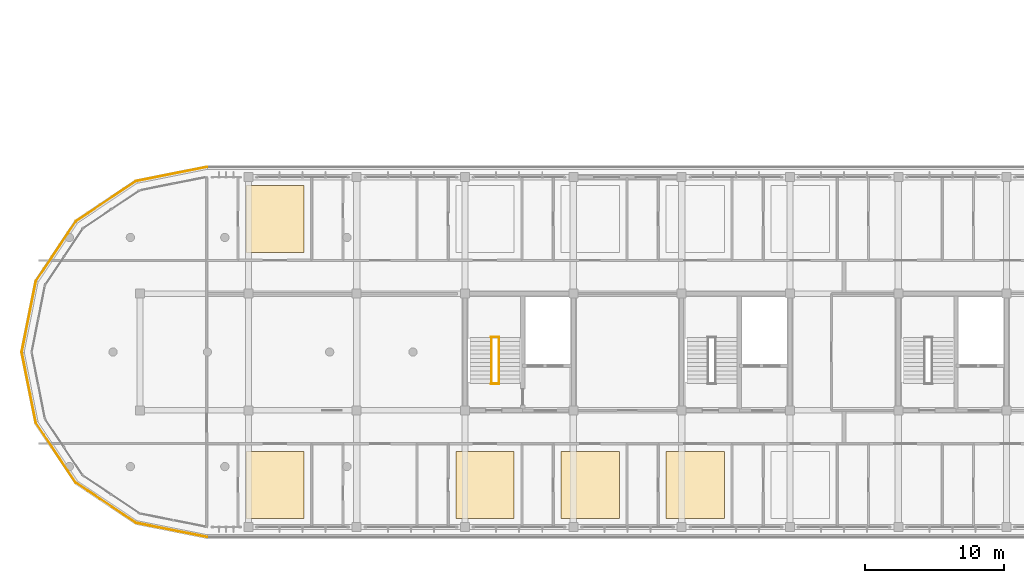
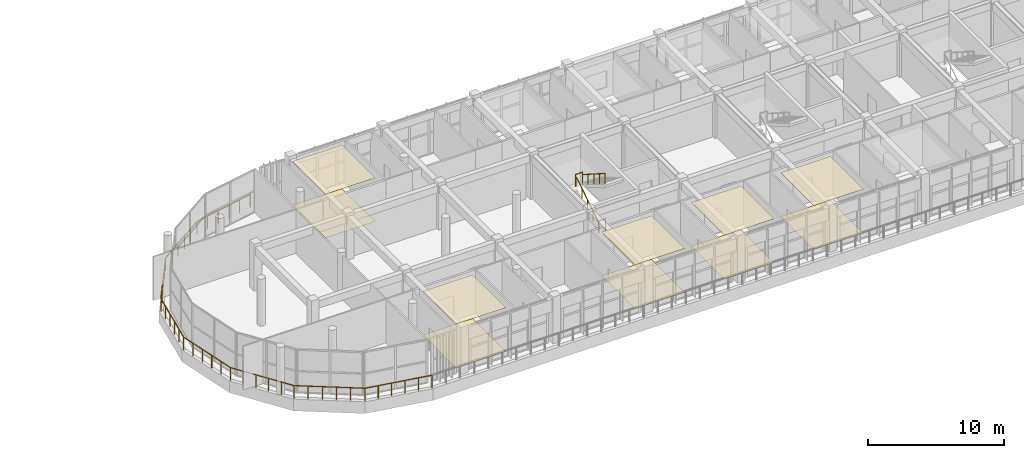
# One storey, part 57 of 63: 12 railings, 10 coverings.
"""IFC4 building model written with IfcOpenShell, lengths in metres."""

from ifc_helpers import new_model, si_unit, direction, frame, origin, origin_2d, place, context, subcontext, project, spatial, polyline, hollow_rectangle, circle, hollow_circle, outline, extrude, material, layer, layer_set, material_profile, profile_set, type_object, element, save


model = new_model("IFC4")

# Units and contexts
model_context = context("Model", 3, precision=1e-05, world=origin(), true_north=direction((0.0, 1.0)))
body_context = subcontext(model_context, "Body", "Model", "MODEL_VIEW")
ifc_project = project(units=[si_unit("LENGTHUNIT", "METRE"), si_unit("AREAUNIT", "SQUARE_METRE"), si_unit("VOLUMEUNIT", "CUBIC_METRE"), si_unit("PLANEANGLEUNIT", "RADIAN"), si_unit("MASSUNIT", "GRAM", prefix="KILO")], contexts=[model_context])

# Site, building, storey
site_placement = place(None, origin())
site = spatial("IfcSite", under=ifc_project, at=site_placement, CompositionType="ELEMENT")
building_placement = place(site_placement, origin())
building = spatial("IfcBuilding", under=site, at=building_placement, Name="Zizhar Promenade General Hospital", CompositionType="ELEMENT")
storey_placement = place(building_placement, frame((0.0, 0.0, 18.0)))
storey = spatial("IfcBuildingStorey", under=building, at=storey_placement, Name="L04", CompositionType="ELEMENT", Elevation=18.0)

# Coverings
ifc_material_1 = material(Name="Hygienic acoustic mineral ceiling tile")
ifc_layer_1 = layer(ifc_material_1, 0.02001953125)
ifc_layer_set_1 = layer_set([ifc_layer_1], Name="Hygienic acoustic mineral ceiling tile")
covering_type_1 = type_object("IfcCoveringType", Name="COV-CLG-ACOUST-20", PredefinedType="CEILING", material=ifc_layer_set_1)
covering_1_placement = place(storey_placement, frame((0.0, 0.0, 3.89990234375)))
element("IfcCovering", 1, at=covering_1_placement, inside=storey, type_object=covering_type_1, Name="Acute Medical Inpatient Ward L04-S04 Hygienic Ceiling", PredefinedType="CEILING", context=body_context, shape_type="SweptSolid", body=[
    extrude(outline(polyline([(53.7099609375, 0.594970703125), (57.906982421875, 0.594970703125), (57.906982421875, 5.449951171875), (53.7099609375, 5.449951171875), (53.7099609375, 0.594970703125)])), origin(), (0.0, 0.0, 1.0), 0.02001953125),
])
ifc_material_2 = material(Name="Acoustic cleanroom metal ceiling panel")
ifc_layer_2 = layer(ifc_material_2, 0.02490234375)
ifc_layer_set_2 = layer_set([ifc_layer_2], Name="Acoustic cleanroom metal ceiling panel")
covering_type_2 = type_object("IfcCoveringType", Name="COV-CLG-CLEAN-25", PredefinedType="CEILING", material=ifc_layer_set_2)
covering_2_placement = place(storey_placement, frame((0.0, 0.0, 3.89501953125)))
element("IfcCovering", 2, at=covering_2_placement, inside=storey, type_object=covering_type_2, Name="Intensive Care Step-Down L04-S01 Hygienic Ceiling", PredefinedType="CEILING", context=body_context, shape_type="SweptSolid", body=[
    extrude(outline(polyline([(31.010009765625, 0.594970703125), (35.20703125, 0.594970703125), (35.20703125, 5.449951171875), (31.010009765625, 5.449951171875), (31.010009765625, 0.594970703125)])), origin(), (0.0, 0.0, 1.0), 0.02490234375),
])
covering_3_placement = place(storey_placement, frame((0.0, 0.0, 3.89501953125)))
element("IfcCovering", 3, at=covering_3_placement, inside=storey, type_object=covering_type_2, Name="Intensive Care Step-Down L04-N01 Hygienic Ceiling", PredefinedType="CEILING", context=body_context, shape_type="SweptSolid", body=[
    extrude(outline(polyline([(31.010009765625, 19.75), (35.20703125, 19.75), (35.20703125, 24.60498046875), (31.010009765625, 24.60498046875), (31.010009765625, 19.75)])), origin(), (0.0, 0.0, 1.0), 0.02490234375),
])
covering_4_placement = place(storey_placement, frame((0.0, 0.0, 3.89501953125)))
element("IfcCovering", 4, at=covering_4_placement, inside=storey, type_object=covering_type_2, Name="Intensive Care Step-Down L04-S03 Hygienic Ceiling", PredefinedType="CEILING", context=body_context, shape_type="SweptSolid", body=[
    extrude(outline(polyline([(46.14306640625, 0.594970703125), (50.340087890625, 0.594970703125), (50.340087890625, 5.449951171875), (46.14306640625, 5.449951171875), (46.14306640625, 0.594970703125)])), origin(), (0.0, 0.0, 1.0), 0.02490234375),
])
covering_5_placement = place(storey_placement, frame((0.0, 0.0, 3.89501953125)))
element("IfcCovering", 5, at=covering_5_placement, inside=storey, type_object=covering_type_2, Name="Intensive Care Step-Down L04-S05 Hygienic Ceiling", PredefinedType="CEILING", context=body_context, shape_type="SweptSolid", body=[
    extrude(outline(polyline([(61.277099609375, 0.594970703125), (65.472900390625, 0.594970703125), (65.472900390625, 5.449951171875), (61.277099609375, 5.449951171875), (61.277099609375, 0.594970703125)])), origin(), (0.0, 0.0, 1.0), 0.02490234375),
])
ifc_material_3 = material(Name="Seamless antimicrobial vinyl flooring")
ifc_layer_3 = layer(ifc_material_3, 0.008056640625)
ifc_layer_set_3 = layer_set([ifc_layer_3], Name="Seamless antimicrobial vinyl flooring")
covering_type_3 = type_object("IfcCoveringType", Name="COV-FLR-VINYL-08", PredefinedType="FLOORING", material=ifc_layer_set_3)
covering_6_placement = place(storey_placement, origin())
element("IfcCovering", 6, at=covering_6_placement, inside=storey, type_object=covering_type_3, Name="Intensive Care Step-Down L04-S01 Clinical Flooring", PredefinedType="FLOORING", context=body_context, shape_type="SweptSolid", body=[
    extrude(outline(polyline([(31.010009765625, 0.594970703125), (35.20703125, 0.594970703125), (35.20703125, 5.449951171875), (31.010009765625, 5.449951171875), (31.010009765625, 0.594970703125)])), origin(), (0.0, 0.0, 1.0), 0.008056640625),
])
covering_7_placement = place(storey_placement, origin())
element("IfcCovering", 7, at=covering_7_placement, inside=storey, type_object=covering_type_3, Name="Intensive Care Step-Down L04-N01 Clinical Flooring", PredefinedType="FLOORING", context=body_context, shape_type="SweptSolid", body=[
    extrude(outline(polyline([(31.010009765625, 19.75), (35.20703125, 19.75), (35.20703125, 24.60498046875), (31.010009765625, 24.60498046875), (31.010009765625, 19.75)])), origin(), (0.0, 0.0, 1.0), 0.008056640625),
])
covering_8_placement = place(storey_placement, origin())
element("IfcCovering", 8, at=covering_8_placement, inside=storey, type_object=covering_type_3, Name="Intensive Care Step-Down L04-S03 Clinical Flooring", PredefinedType="FLOORING", context=body_context, shape_type="SweptSolid", body=[
    extrude(outline(polyline([(46.14306640625, 0.594970703125), (50.340087890625, 0.594970703125), (50.340087890625, 5.449951171875), (46.14306640625, 5.449951171875), (46.14306640625, 0.594970703125)])), origin(), (0.0, 0.0, 1.0), 0.008056640625),
])
covering_9_placement = place(storey_placement, origin())
element("IfcCovering", 9, at=covering_9_placement, inside=storey, type_object=covering_type_3, Name="Acute Medical Inpatient Ward L04-S04 Clinical Flooring", PredefinedType="FLOORING", context=body_context, shape_type="SweptSolid", body=[
    extrude(outline(polyline([(53.7099609375, 0.594970703125), (57.906982421875, 0.594970703125), (57.906982421875, 5.449951171875), (53.7099609375, 5.449951171875), (53.7099609375, 0.594970703125)])), origin(), (0.0, 0.0, 1.0), 0.008056640625),
])
covering_10_placement = place(storey_placement, origin())
element("IfcCovering", 10, at=covering_10_placement, inside=storey, type_object=covering_type_3, Name="Intensive Care Step-Down L04-S05 Clinical Flooring", PredefinedType="FLOORING", context=body_context, shape_type="SweptSolid", body=[
    extrude(outline(polyline([(61.277099609375, 0.594970703125), (65.472900390625, 0.594970703125), (65.472900390625, 5.449951171875), (61.277099609375, 5.449951171875), (61.277099609375, 0.594970703125)])), origin(), (0.0, 0.0, 1.0), 0.008056640625),
])

# Railings
ifc_material_4 = material(Name="Steel S355", Category="steel")
ifc_material_profile_1 = material_profile(ifc_material_4, hollow_rectangle(XDim=0.06005859375, YDim=0.1201171875, WallThickness=0.00390625, at=origin_2d()))
ifc_profile_set_1 = profile_set([ifc_material_profile_1], Name="Steel S355")
railing_type_1 = type_object("IfcRailingType", Name="RL-GUARD-EXT-1150", PredefinedType="GUARDRAIL", material=ifc_profile_set_1)
railing_1_placement = place(storey_placement, frame((28.199951171875, 25.919921875, 0.0)))
element("IfcRailing", 11, at=railing_1_placement, inside=storey, type_object=railing_type_1, Name="Perimeter Safety Guardrail L04-10", PredefinedType="GUARDRAIL", context=body_context, shape_type="SweptSolid", body=[
    extrude(circle(Radius=0.02392578125, at=origin_2d()), frame((0.0, 0.0, 1.1259765625), z_axis=(-0.980784313268, -0.195095184069, 0.0), x_axis=(0.195095184069, -0.980784313268, 0.0)), (0.0, 0.0, 1.0), 5.197021484375),
    extrude(circle(Radius=0.02099609375, at=origin_2d()), origin(), (0.0, 0.0, 1.0), 1.101806640625),
    extrude(circle(Radius=0.02099609375, at=origin_2d()), frame((-1.01953125, -0.202880859375, 0.0)), (0.0, 0.0, 1.0), 1.101806640625),
    extrude(circle(Radius=0.02099609375, at=origin_2d()), frame((-2.038818359375, -0.405517578125, 0.0)), (0.0, 0.0, 1.0), 1.101806640625),
    extrude(circle(Radius=0.02099609375, at=origin_2d()), frame((-3.058349609375, -0.6083984375, 0.0)), (0.0, 0.0, 1.0), 1.101806640625),
    extrude(circle(Radius=0.02099609375, at=origin_2d()), frame((-4.07763671875, -0.81103515625, 0.0)), (0.0, 0.0, 1.0), 1.101806640625),
    extrude(circle(Radius=0.02099609375, at=origin_2d()), frame((-5.09716796875, -1.013916015625, 0.0)), (0.0, 0.0, 1.0), 1.101806640625),
])
railing_2_placement = place(storey_placement, frame((23.102783203125, 24.906005859375, 0.0)))
element("IfcRailing", 12, at=railing_2_placement, inside=storey, type_object=railing_type_1, Name="Perimeter Safety Guardrail L04-11", PredefinedType="GUARDRAIL", context=body_context, shape_type="SweptSolid", body=[
    extrude(circle(Radius=0.02392578125, at=origin_2d()), frame((0.0, 0.0, 1.1259765625), z_axis=(-0.831500642835, -0.555523789739, 0.0), x_axis=(0.555523789739, -0.831500642835, 0.0)), (0.0, 0.0, 1.0), 5.197265625),
    extrude(circle(Radius=0.02099609375, at=origin_2d()), origin(), (0.0, 0.0, 1.0), 1.101806640625),
    extrude(circle(Radius=0.02099609375, at=origin_2d()), frame((-0.8642578125, -0.577392578125, 0.0)), (0.0, 0.0, 1.0), 1.101806640625),
    extrude(circle(Radius=0.02099609375, at=origin_2d()), frame((-1.728515625, -1.15478515625, 0.0)), (0.0, 0.0, 1.0), 1.101806640625),
    extrude(circle(Radius=0.02099609375, at=origin_2d()), frame((-2.593017578125, -1.732421875, 0.0)), (0.0, 0.0, 1.0), 1.101806640625),
    extrude(circle(Radius=0.02099609375, at=origin_2d()), frame((-3.457275390625, -2.309814453125, 0.0)), (0.0, 0.0, 1.0), 1.101806640625),
    extrude(circle(Radius=0.02099609375, at=origin_2d()), frame((-4.321533203125, -2.88720703125, 0.0)), (0.0, 0.0, 1.0), 1.101806640625),
])
railing_3_placement = place(storey_placement, frame((18.78125, 22.018798828125, 0.0)))
element("IfcRailing", 13, at=railing_3_placement, inside=storey, type_object=railing_type_1, Name="Perimeter Safety Guardrail L04-12", PredefinedType="GUARDRAIL", context=body_context, shape_type="SweptSolid", body=[
    extrude(circle(Radius=0.02392578125, at=origin_2d()), frame((0.0, 0.0, 1.1259765625), z_axis=(-0.555556266519, -0.83147894425, 0.0), x_axis=(0.83147894425, -0.555556266519, 0.0)), (0.0, 0.0, 1.0), 5.197509765625),
    extrude(circle(Radius=0.02099609375, at=origin_2d()), origin(), (0.0, 0.0, 1.0), 1.101806640625),
    extrude(circle(Radius=0.02099609375, at=origin_2d()), frame((-0.577392578125, -0.8642578125, 0.0)), (0.0, 0.0, 1.0), 1.101806640625),
    extrude(circle(Radius=0.02099609375, at=origin_2d()), frame((-1.155029296875, -1.728515625, 0.0)), (0.0, 0.0, 1.0), 1.101806640625),
    extrude(circle(Radius=0.02099609375, at=origin_2d()), frame((-1.732421875, -2.593017578125, 0.0)), (0.0, 0.0, 1.0), 1.101806640625),
    extrude(circle(Radius=0.02099609375, at=origin_2d()), frame((-2.31005859375, -3.457275390625, 0.0)), (0.0, 0.0, 1.0), 1.101806640625),
    extrude(circle(Radius=0.02099609375, at=origin_2d()), frame((-2.887451171875, -4.321533203125, 0.0)), (0.0, 0.0, 1.0), 1.101806640625),
])
railing_4_placement = place(storey_placement, frame((15.893798828125, 17.697265625, 0.0)))
element("IfcRailing", 14, at=railing_4_placement, inside=storey, type_object=railing_type_1, Name="Perimeter Safety Guardrail L04-13", PredefinedType="GUARDRAIL", context=body_context, shape_type="SweptSolid", body=[
    extrude(circle(Radius=0.02392578125, at=origin_2d()), frame((0.0, 0.0, 1.1259765625), z_axis=(-0.195095184069, -0.980784313268, 0.0), x_axis=(0.980784313268, -0.195095184069, 0.0)), (0.0, 0.0, 1.0), 5.197021484375),
    extrude(circle(Radius=0.02099609375, at=origin_2d()), origin(), (0.0, 0.0, 1.0), 1.101806640625),
    extrude(circle(Radius=0.02099609375, at=origin_2d()), frame((-0.202880859375, -1.01953125, 0.0)), (0.0, 0.0, 1.0), 1.101806640625),
    extrude(circle(Radius=0.02099609375, at=origin_2d()), frame((-0.405517578125, -2.038818359375, 0.0)), (0.0, 0.0, 1.0), 1.101806640625),
    extrude(circle(Radius=0.02099609375, at=origin_2d()), frame((-0.6083984375, -3.058349609375, 0.0)), (0.0, 0.0, 1.0), 1.101806640625),
    extrude(circle(Radius=0.02099609375, at=origin_2d()), frame((-0.81103515625, -4.07763671875, 0.0)), (0.0, 0.0, 1.0), 1.101806640625),
    extrude(circle(Radius=0.02099609375, at=origin_2d()), frame((-1.013916015625, -5.09716796875, 0.0)), (0.0, 0.0, 1.0), 1.101806640625),
])
railing_5_placement = place(storey_placement, frame((14.8798828125, 12.60009765625, 0.0)))
element("IfcRailing", 15, at=railing_5_placement, inside=storey, type_object=railing_type_1, Name="Perimeter Safety Guardrail L04-14", PredefinedType="GUARDRAIL", context=body_context, shape_type="SweptSolid", body=[
    extrude(circle(Radius=0.02392578125, at=origin_2d()), frame((0.0, 0.0, 1.1259765625), z_axis=(0.195086195614, -0.980786101187, 0.0), x_axis=(0.980786101187, 0.195086195614, 0.0)), (0.0, 0.0, 1.0), 5.197265625),
    extrude(circle(Radius=0.02099609375, at=origin_2d()), origin(), (0.0, 0.0, 1.0), 1.101806640625),
    extrude(circle(Radius=0.02099609375, at=origin_2d()), frame((0.202880859375, -1.01953125, 0.0)), (0.0, 0.0, 1.0), 1.101806640625),
    extrude(circle(Radius=0.02099609375, at=origin_2d()), frame((0.405517578125, -2.0390625, 0.0)), (0.0, 0.0, 1.0), 1.101806640625),
    extrude(circle(Radius=0.02099609375, at=origin_2d()), frame((0.6083984375, -3.058349609375, 0.0)), (0.0, 0.0, 1.0), 1.101806640625),
    extrude(circle(Radius=0.02099609375, at=origin_2d()), frame((0.81103515625, -4.077880859375, 0.0)), (0.0, 0.0, 1.0), 1.101806640625),
    extrude(circle(Radius=0.02099609375, at=origin_2d()), frame((1.013916015625, -5.097412109375, 0.0)), (0.0, 0.0, 1.0), 1.101806640625),
])
railing_6_placement = place(storey_placement, frame((15.893798828125, 7.502685546875, 0.0)))
element("IfcRailing", 16, at=railing_6_placement, inside=storey, type_object=railing_type_1, Name="Perimeter Safety Guardrail L04-15", PredefinedType="GUARDRAIL", context=body_context, shape_type="SweptSolid", body=[
    extrude(circle(Radius=0.02392578125, at=origin_2d()), frame((0.0, 0.0, 1.1259765625), z_axis=(0.555577965829, -0.831464445352, 0.0), x_axis=(0.831464445352, 0.555577965829, 0.0)), (0.0, 0.0, 1.0), 5.197265625),
    extrude(circle(Radius=0.02099609375, at=origin_2d()), origin(), (0.0, 0.0, 1.0), 1.101806640625),
    extrude(circle(Radius=0.02099609375, at=origin_2d()), frame((0.577392578125, -0.8642578125, 0.0)), (0.0, 0.0, 1.0), 1.101806640625),
    extrude(circle(Radius=0.02099609375, at=origin_2d()), frame((1.155029296875, -1.728515625, 0.0)), (0.0, 0.0, 1.0), 1.101806640625),
    extrude(circle(Radius=0.02099609375, at=origin_2d()), frame((1.732421875, -2.5927734375, 0.0)), (0.0, 0.0, 1.0), 1.101806640625),
    extrude(circle(Radius=0.02099609375, at=origin_2d()), frame((2.31005859375, -3.45703125, 0.0)), (0.0, 0.0, 1.0), 1.101806640625),
    extrude(circle(Radius=0.02099609375, at=origin_2d()), frame((2.887451171875, -4.3212890625, 0.0)), (0.0, 0.0, 1.0), 1.101806640625),
])
railing_7_placement = place(storey_placement, frame((18.78125, 3.181396484375, 0.0)))
element("IfcRailing", 17, at=railing_7_placement, inside=storey, type_object=railing_type_1, Name="Perimeter Safety Guardrail L04-16", PredefinedType="GUARDRAIL", context=body_context, shape_type="SweptSolid", body=[
    extrude(circle(Radius=0.02392578125, at=origin_2d()), frame((0.0, 0.0, 1.1259765625), z_axis=(0.83147894425, -0.555556266519, 0.0), x_axis=(0.555556266519, 0.83147894425, 0.0)), (0.0, 0.0, 1.0), 5.197509765625),
    extrude(circle(Radius=0.02099609375, at=origin_2d()), origin(), (0.0, 0.0, 1.0), 1.101806640625),
    extrude(circle(Radius=0.02099609375, at=origin_2d()), frame((0.8642578125, -0.577392578125, 0.0)), (0.0, 0.0, 1.0), 1.101806640625),
    extrude(circle(Radius=0.02099609375, at=origin_2d()), frame((1.728515625, -1.155029296875, 0.0)), (0.0, 0.0, 1.0), 1.101806640625),
    extrude(circle(Radius=0.02099609375, at=origin_2d()), frame((2.593017578125, -1.732421875, 0.0)), (0.0, 0.0, 1.0), 1.101806640625),
    extrude(circle(Radius=0.02099609375, at=origin_2d()), frame((3.457275390625, -2.31005859375, 0.0)), (0.0, 0.0, 1.0), 1.101806640625),
    extrude(circle(Radius=0.02099609375, at=origin_2d()), frame((4.321533203125, -2.887451171875, 0.0)), (0.0, 0.0, 1.0), 1.101806640625),
])
railing_8_placement = place(storey_placement, frame((23.102783203125, 0.2939453125, 0.0)))
element("IfcRailing", 18, at=railing_8_placement, inside=storey, type_object=railing_type_1, Name="Perimeter Safety Guardrail L04-17", PredefinedType="GUARDRAIL", context=body_context, shape_type="SweptSolid", body=[
    extrude(circle(Radius=0.02392578125, at=origin_2d()), frame((0.0, 0.0, 1.1259765625), z_axis=(0.980784313268, -0.195095184069, 0.0), x_axis=(0.195095184069, 0.980784313268, 0.0)), (0.0, 0.0, 1.0), 5.197021484375),
    extrude(circle(Radius=0.02099609375, at=origin_2d()), origin(), (0.0, 0.0, 1.0), 1.101806640625),
    extrude(circle(Radius=0.02099609375, at=origin_2d()), frame((1.01953125, -0.202880859375, 0.0)), (0.0, 0.0, 1.0), 1.101806640625),
    extrude(circle(Radius=0.02099609375, at=origin_2d()), frame((2.038818359375, -0.405517578125, 0.0)), (0.0, 0.0, 1.0), 1.101806640625),
    extrude(circle(Radius=0.02099609375, at=origin_2d()), frame((3.058349609375, -0.6083984375, 0.0)), (0.0, 0.0, 1.0), 1.101806640625),
    extrude(circle(Radius=0.02099609375, at=origin_2d()), frame((4.07763671875, -0.81103515625, 0.0)), (0.0, 0.0, 1.0), 1.101806640625),
    extrude(circle(Radius=0.02099609375, at=origin_2d()), frame((5.09716796875, -1.013916015625, 0.0)), (0.0, 0.0, 1.0), 1.101806640625),
])
ifc_material_5 = material(Name="Anodised aluminium 6063-T6", Category="aluminium")
ifc_material_profile_2 = material_profile(ifc_material_5, hollow_circle(Radius=0.06982421875, WallThickness=0.00634765625, at=origin_2d()))
ifc_profile_set_2 = profile_set([ifc_material_profile_2], Name="Anodised aluminium 6063-T6")
railing_type_2 = type_object("IfcRailingType", Name="RL-HANDRAIL-920", PredefinedType="HANDRAIL", material=ifc_profile_set_2)
railing_9_placement = place(storey_placement, frame((48.699951171875, 10.35009765625, 0.0)))
element("IfcRailing", 19, at=railing_9_placement, inside=storey, type_object=railing_type_2, Name="Stair ST-02 Flight 1 Handrail (L04)", PredefinedType="HANDRAIL", context=body_context, shape_type="SweptSolid", body=[
    extrude(circle(Radius=0.02392578125, at=origin_2d()), frame((0.0, 0.0, 0.89599609375), z_axis=(0.0, 0.843635785416, 0.536915879413), x_axis=(-1.0, 0.0, 0.0)), (0.0, 0.0, 1.0), 3.911376953125),
    extrude(circle(Radius=0.02099609375, at=origin_2d()), origin(), (0.0, 0.0, 1.0), 0.871826171875),
    extrude(circle(Radius=0.02099609375, at=origin_2d()), frame((0.0, 0.824951171875, 0.52490234375)), (0.0, 0.0, 1.0), 0.871826171875),
    extrude(circle(Radius=0.02099609375, at=origin_2d()), frame((0.0, 1.64990234375, 1.050048828125)), (0.0, 0.0, 1.0), 0.871826171875),
    extrude(circle(Radius=0.02099609375, at=origin_2d()), frame((0.0, 2.474853515625, 1.5751953125)), (0.0, 0.0, 1.0), 0.871826171875),
    extrude(circle(Radius=0.02099609375, at=origin_2d()), frame((0.0, 3.2998046875, 2.10009765625)), (0.0, 0.0, 1.0), 0.871826171875),
])
railing_10_placement = place(storey_placement, frame((49.239990234375, 13.64990234375, 2.10009765625)))
element("IfcRailing", 20, at=railing_10_placement, inside=storey, type_object=railing_type_2, Name="Stair ST-02 Flight 2 Handrail (L04)", PredefinedType="HANDRAIL", context=body_context, shape_type="SweptSolid", body=[
    extrude(circle(Radius=0.02392578125, at=origin_2d()), frame((0.0, 0.0, 0.89599609375), z_axis=(0.0, -0.843664057944, 0.536871453268), x_axis=(1.0, 0.0, 0.0)), (0.0, 0.0, 1.0), 3.911376953125),
    extrude(circle(Radius=0.02099609375, at=origin_2d()), origin(), (0.0, 0.0, 1.0), 0.871826171875),
    extrude(circle(Radius=0.02099609375, at=origin_2d()), frame((0.0, -0.824951171875, 0.52490234375)), (0.0, 0.0, 1.0), 0.871826171875),
    extrude(circle(Radius=0.02099609375, at=origin_2d()), frame((0.0, -1.64990234375, 1.0498046875)), (0.0, 0.0, 1.0), 0.871826171875),
    extrude(circle(Radius=0.02099609375, at=origin_2d()), frame((0.0, -2.474853515625, 1.574951171875)), (0.0, 0.0, 1.0), 0.871826171875),
    extrude(circle(Radius=0.02099609375, at=origin_2d()), frame((0.0, -3.2998046875, 2.099853515625)), (0.0, 0.0, 1.0), 0.871826171875),
])
ifc_material_6 = material(Name="Steel S355", Category="steel")
ifc_material_profile_3 = material_profile(ifc_material_6, hollow_circle(Radius=0.06982421875, WallThickness=0.00634765625, at=origin_2d()))
ifc_profile_set_3 = profile_set([ifc_material_profile_3], Name="Steel S355")
railing_type_3 = type_object("IfcRailingType", Name="RL-STAIR-GUARD-1100", PredefinedType="GUARDRAIL", material=ifc_profile_set_3)
for number, where, name in (
    (21, (48.679931640625, 13.68994140625, 2.10009765625), "Stair ST-02 Half-Landing Guard (L04)"),
    (22, (48.679931640625, 10.31005859375, 0.0), "Stair ST-02 Landing Well Guard (L04)"),
):
    element("IfcRailing", number, at=place(storey_placement, frame(where)), inside=storey, type_object=railing_type_3, Name=name, PredefinedType="GUARDRAIL", context=body_context, shape_type="SweptSolid", body=[
        extrude(circle(Radius=0.02392578125, at=origin_2d()), frame((0.0, 0.0, 1.076171875), z_axis=(1.0, 0.0, 0.0), x_axis=(0.0, 1.0, 0.0)), (0.0, 0.0, 1.0), 0.580078125),
        extrude(circle(Radius=0.02099609375, at=origin_2d()), origin(), (0.0, 0.0, 1.0), 1.052001953125),
        extrude(circle(Radius=0.02099609375, at=origin_2d()), frame((0.580078125, 0.0, 0.0)), (0.0, 0.0, 1.0), 1.052001953125),
    ])

save(model, "model.ifc")
